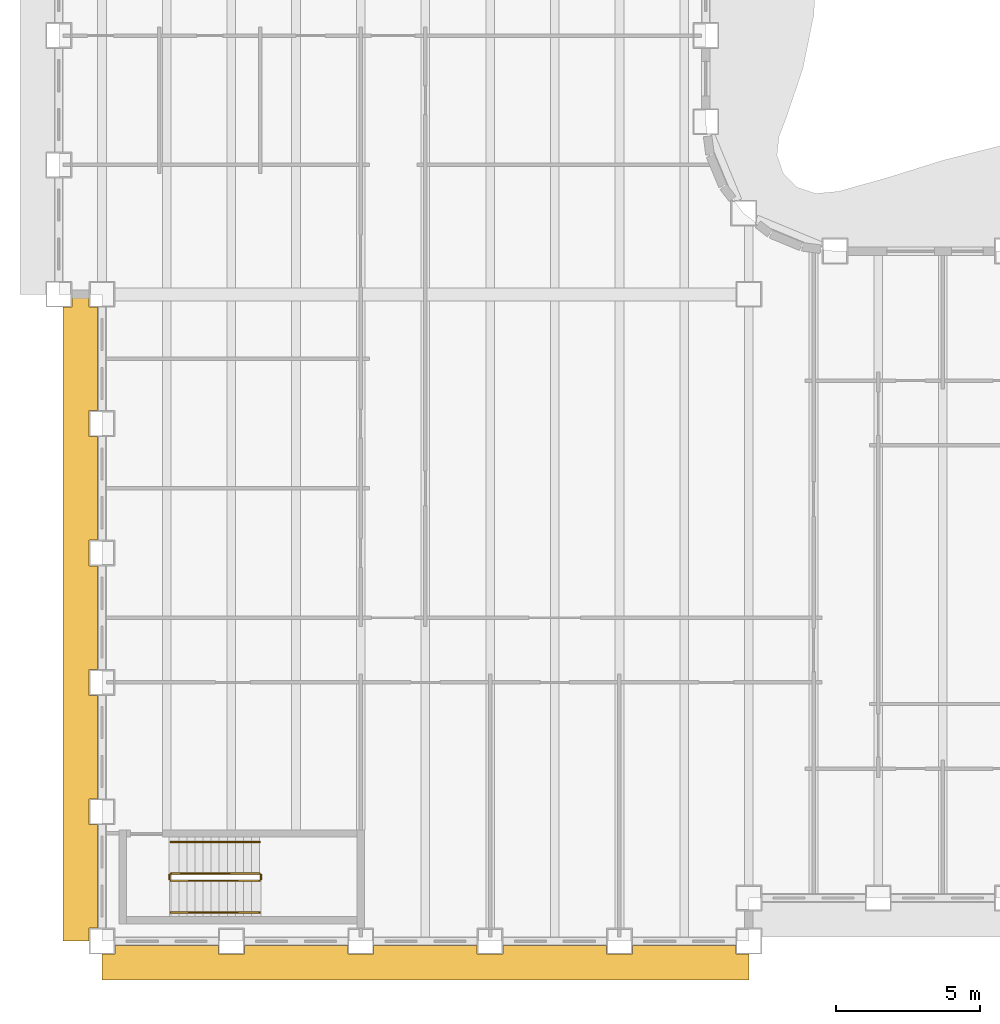
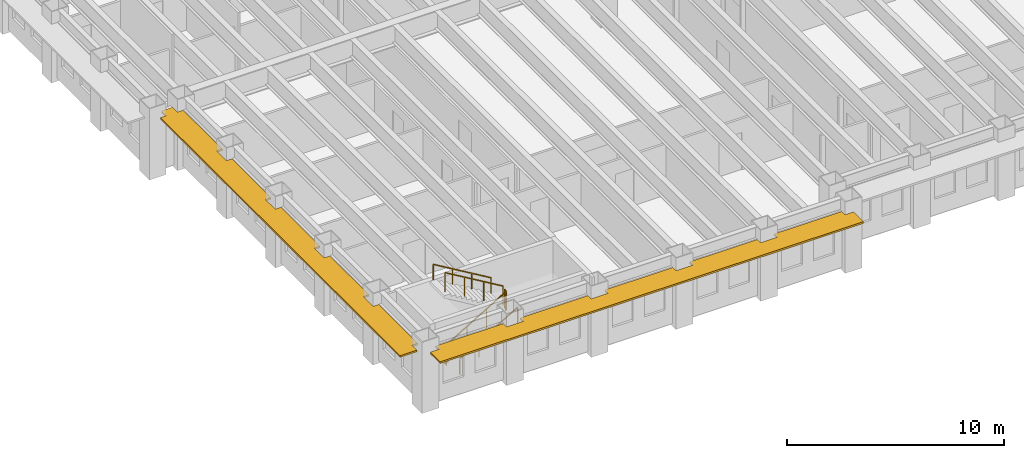
# One storey, part 11 of 16: 6 railings, 2 shading devices.
"""IFC4 building model written with IfcOpenShell, lengths in metres."""

from ifc_helpers import new_model, si_unit, direction, frame, origin, origin_2d, place, context, subcontext, project, spatial, polyline, rectangle, outline, extrude, material, layer, layer_set, type_object, element, save


model = new_model("IFC4")

# Units and contexts
model_context = context("Model", 3, precision=1e-05, world=origin(), true_north=direction((0.0, 1.0)))
body_context = subcontext(model_context, "Body", "Model", "MODEL_VIEW")
ifc_project = project(units=[si_unit("LENGTHUNIT", "METRE"), si_unit("AREAUNIT", "SQUARE_METRE"), si_unit("VOLUMEUNIT", "CUBIC_METRE"), si_unit("PLANEANGLEUNIT", "RADIAN"), si_unit("MASSUNIT", "GRAM", prefix="KILO")], contexts=[model_context])

# Site, building, storey
site_placement = place(None, origin())
site = spatial("IfcSite", under=ifc_project, at=site_placement, CompositionType="ELEMENT")
building_placement = place(site_placement, origin())
building = spatial("IfcBuilding", under=site, at=building_placement, Name="Sennacour Bend Tower", CompositionType="ELEMENT")
storey_placement = place(building_placement, frame((0.0, 0.0, 159.0)))
storey = spatial("IfcBuildingStorey", under=building, at=storey_placement, Name="L36", CompositionType="ELEMENT", Elevation=159.0)

# Railings
ifc_material_1 = material(Name="Stainless steel", Category="steel")
railing_type_1 = type_object("IfcRailingType", Name="RL-GUARD-1100", PredefinedType="GUARDRAIL", material=ifc_material_1)
railing_1_placement = place(storey_placement, frame((2.39990234375, 2.10009765625, 0.166748046875)))
element("IfcRailing", 1, at=railing_1_placement, inside=storey, type_object=railing_type_1, Name="L36 SK1 stair guard 1", PredefinedType="GUARDRAIL", context=body_context, shape_type="SweptSolid", body=[
    extrude(rectangle(XDim=0.048095703125, YDim=0.048095703125, at=origin_2d()), frame((0.0, 0.0, 1.076171875), z_axis=(0.859308565015, 0.0, 0.511457515432), x_axis=(0.0, 1.0, 0.0)), (0.0, 0.0, 1.0), 3.58447265625),
    extrude(rectangle(XDim=0.0419921875, YDim=0.0419921875, at=origin_2d()), origin(), (0.0, 0.0, 1.0), 1.052001953125),
    extrude(rectangle(XDim=0.0419921875, YDim=0.0419921875, at=origin_2d()), frame((1.026611328125, 0.0, 0.611083984375)), (0.0, 0.0, 1.0), 1.052001953125),
    extrude(rectangle(XDim=0.0419921875, YDim=0.0419921875, at=origin_2d()), frame((2.053466796875, 0.0, 1.22216796875)), (0.0, 0.0, 1.0), 1.052001953125),
    extrude(rectangle(XDim=0.0419921875, YDim=0.0419921875, at=origin_2d()), frame((3.080078125, 0.0, 1.833251953125)), (0.0, 0.0, 1.0), 1.052001953125),
])
railing_2_placement = place(storey_placement, frame((5.530029296875, 2.14990234375, 2.0)))
element("IfcRailing", 2, at=railing_2_placement, inside=storey, type_object=railing_type_1, Name="L36 SK1 stair guard 2", PredefinedType="GUARDRAIL", context=body_context, shape_type="SweptSolid", body=[
    extrude(rectangle(XDim=0.048095703125, YDim=0.048095703125, at=origin_2d()), frame((0.0, 0.0, 1.076171875), z_axis=(0.0, 1.0, 0.0), x_axis=(-1.0, 0.0, 0.0)), (0.0, 0.0, 1.0), 0.150146484375),
    extrude(rectangle(XDim=0.0419921875, YDim=0.0419921875, at=origin_2d()), origin(), (0.0, 0.0, 1.0), 1.052001953125),
    extrude(rectangle(XDim=0.0419921875, YDim=0.0419921875, at=origin_2d()), frame((0.0, 0.150146484375, 0.0)), (0.0, 0.0, 1.0), 1.052001953125),
])
railing_3_placement = place(storey_placement, frame((5.47998046875, 2.35009765625, 2.166748046875)))
element("IfcRailing", 3, at=railing_3_placement, inside=storey, type_object=railing_type_1, Name="L36 SK1 stair guard 3", PredefinedType="GUARDRAIL", context=body_context, shape_type="SweptSolid", body=[
    extrude(rectangle(XDim=0.048095703125, YDim=0.048095703125, at=origin_2d()), frame((0.0, 0.0, 1.076171875), z_axis=(-0.859308565015, 0.0, 0.511457515432), x_axis=(0.0, -1.0, 0.0)), (0.0, 0.0, 1.0), 3.58447265625),
    extrude(rectangle(XDim=0.0419921875, YDim=0.0419921875, at=origin_2d()), origin(), (0.0, 0.0, 1.0), 1.052001953125),
    extrude(rectangle(XDim=0.0419921875, YDim=0.0419921875, at=origin_2d()), frame((-1.026611328125, 0.0, 0.611083984375)), (0.0, 0.0, 1.0), 1.052001953125),
    extrude(rectangle(XDim=0.0419921875, YDim=0.0419921875, at=origin_2d()), frame((-2.053466796875, 0.0, 1.22216796875)), (0.0, 0.0, 1.0), 1.052001953125),
    extrude(rectangle(XDim=0.0419921875, YDim=0.0419921875, at=origin_2d()), frame((-3.080078125, 0.0, 1.833251953125)), (0.0, 0.0, 1.0), 1.052001953125),
])
railing_4_placement = place(storey_placement, frame((2.35009765625, 2.14990234375, 0.0)))
element("IfcRailing", 4, at=railing_4_placement, inside=storey, type_object=railing_type_1, Name="L36 SK1 stair guard 4", PredefinedType="GUARDRAIL", context=body_context, shape_type="SweptSolid", body=[
    extrude(rectangle(XDim=0.048095703125, YDim=0.048095703125, at=origin_2d()), frame((0.0, 0.0, 1.076171875), z_axis=(0.0, 1.0, 0.0), x_axis=(-1.0, 0.0, 0.0)), (0.0, 0.0, 1.0), 0.150146484375),
    extrude(rectangle(XDim=0.0419921875, YDim=0.0419921875, at=origin_2d()), origin(), (0.0, 0.0, 1.0), 1.052001953125),
    extrude(rectangle(XDim=0.0419921875, YDim=0.0419921875, at=origin_2d()), frame((0.0, 0.150146484375, 0.0)), (0.0, 0.0, 1.0), 1.052001953125),
])
railing_type_2 = type_object("IfcRailingType", Name="RL-HANDRAIL-900", PredefinedType="HANDRAIL", material=ifc_material_1)
railing_5_placement = place(storey_placement, frame((2.39990234375, 1.0, 0.166748046875)))
element("IfcRailing", 5, at=railing_5_placement, inside=storey, type_object=railing_type_2, Name="L36 SK1 stair handrail 1", PredefinedType="HANDRAIL", context=body_context, shape_type="SweptSolid", body=[
    extrude(rectangle(XDim=0.048095703125, YDim=0.048095703125, at=origin_2d()), frame((0.0, 0.0, 0.8759765625), z_axis=(0.859308565015, 0.0, 0.511457515432), x_axis=(0.0, 1.0, 0.0)), (0.0, 0.0, 1.0), 3.58447265625),
    extrude(rectangle(XDim=0.0419921875, YDim=0.0419921875, at=origin_2d()), origin(), (0.0, 0.0, 1.0), 0.851806640625),
    extrude(rectangle(XDim=0.0419921875, YDim=0.0419921875, at=origin_2d()), frame((1.026611328125, 0.0, 0.611083984375)), (0.0, 0.0, 1.0), 0.851806640625),
    extrude(rectangle(XDim=0.0419921875, YDim=0.0419921875, at=origin_2d()), frame((2.053466796875, 0.0, 1.22216796875)), (0.0, 0.0, 1.0), 0.851806640625),
    extrude(rectangle(XDim=0.0419921875, YDim=0.0419921875, at=origin_2d()), frame((3.080078125, 0.0, 1.833251953125)), (0.0, 0.0, 1.0), 0.851806640625),
])
railing_6_placement = place(storey_placement, frame((5.47998046875, 3.449951171875, 2.166748046875)))
element("IfcRailing", 6, at=railing_6_placement, inside=storey, type_object=railing_type_2, Name="L36 SK1 stair handrail 2", PredefinedType="HANDRAIL", context=body_context, shape_type="SweptSolid", body=[
    extrude(rectangle(XDim=0.048095703125, YDim=0.048095703125, at=origin_2d()), frame((0.0, 0.0, 0.8759765625), z_axis=(-0.859308565015, 0.0, 0.511457515432), x_axis=(0.0, -1.0, 0.0)), (0.0, 0.0, 1.0), 3.58447265625),
    extrude(rectangle(XDim=0.0419921875, YDim=0.0419921875, at=origin_2d()), origin(), (0.0, 0.0, 1.0), 0.851806640625),
    extrude(rectangle(XDim=0.0419921875, YDim=0.0419921875, at=origin_2d()), frame((-1.026611328125, 0.0, 0.611083984375)), (0.0, 0.0, 1.0), 0.851806640625),
    extrude(rectangle(XDim=0.0419921875, YDim=0.0419921875, at=origin_2d()), frame((-2.053466796875, 0.0, 1.22216796875)), (0.0, 0.0, 1.0), 0.851806640625),
    extrude(rectangle(XDim=0.0419921875, YDim=0.0419921875, at=origin_2d()), frame((-3.080078125, 0.0, 1.833251953125)), (0.0, 0.0, 1.0), 0.851806640625),
])

# Shading devices
ifc_material_2 = material(Name="Bronze anodised aluminium", Category="aluminium")
ifc_layer = layer(ifc_material_2, 0.10009765625, Name="Bronze anodised aluminium", Category="aluminium")
ifc_layer_set = layer_set([ifc_layer], Name="Bronze anodised aluminium")
shading_device_type = type_object("IfcShadingDeviceType", Name="SUNSHADE BAND STRAIGHT", PredefinedType="USERDEFINED", material=ifc_layer_set)
shading_device_1_placement = place(storey_placement, frame((0.0, 0.0, 3.049072265625)))
element("IfcShadingDevice", 7, at=shading_device_1_placement, inside=storey, type_object=shading_device_type, Name="Sunshade band L36 K outer face", ObjectType="SUNSHADE", PredefinedType="USERDEFINED", context=body_context, shape_type="SweptSolid", body=[
    extrude(outline(polyline([(4.050048828125, -0.14990234375), (4.050048828125, -0.449951171875), (4.949951171875, -0.449951171875), (4.949951171875, -0.14990234375), (8.550048828125, -0.14990234375), (8.550048828125, -0.449951171875), (9.449951171875, -0.449951171875), (9.449951171875, -0.14990234375), (13.050048828125, -0.14990234375), (13.050048828125, -0.449951171875), (13.949951171875, -0.449951171875), (13.949951171875, -0.14990234375), (17.550048828125, -0.14990234375), (17.550048828125, -0.449951171875), (18.449951171875, -0.449951171875), (18.449951171875, -0.14990234375), (22.050048828125, -0.14990234375), (22.050048828125, -0.449951171875), (22.5, -0.449951171875), (22.5, -1.35009765625), (0.0, -1.35009765625), (0.0, -0.449951171875), (0.449951171875, -0.449951171875), (0.449951171875, -0.14990234375), (4.050048828125, -0.14990234375)])), origin(), (0.0, 0.0, 1.0), 0.099853515625),
])
shading_device_2_placement = place(storey_placement, frame((0.0, 0.0, 3.049072265625)))
element("IfcShadingDevice", 8, at=shading_device_2_placement, inside=storey, type_object=shading_device_type, Name="Sunshade band L36 K outer face", ObjectType="SUNSHADE", PredefinedType="USERDEFINED", context=body_context, shape_type="SweptSolid", body=[
    extrude(outline(polyline([(-0.14990234375, 18.449951171875), (-0.449951171875, 18.449951171875), (-0.449951171875, 17.550048828125), (-0.14990234375, 17.550048828125), (-0.14990234375, 13.949951171875), (-0.449951171875, 13.949951171875), (-0.449951171875, 13.050048828125), (-0.14990234375, 13.050048828125), (-0.14990234375, 9.449951171875), (-0.449951171875, 9.449951171875), (-0.449951171875, 8.550048828125), (-0.14990234375, 8.550048828125), (-0.14990234375, 4.949951171875), (-0.449951171875, 4.949951171875), (-0.449951171875, 4.050048828125), (-0.14990234375, 4.050048828125), (-0.14990234375, 0.449951171875), (-0.449951171875, 0.449951171875), (-0.449951171875, 0.0), (-1.35009765625, 0.0), (-1.35009765625, 22.050048828125), (-1.050048828125, 22.050048828125), (-1.050048828125, 22.5), (-0.449951171875, 22.5), (-0.449951171875, 22.050048828125), (-0.14990234375, 22.050048828125), (-0.14990234375, 18.449951171875)])), origin(), (0.0, 0.0, 1.0), 0.099853515625),
])

save(model, "model.ifc")
